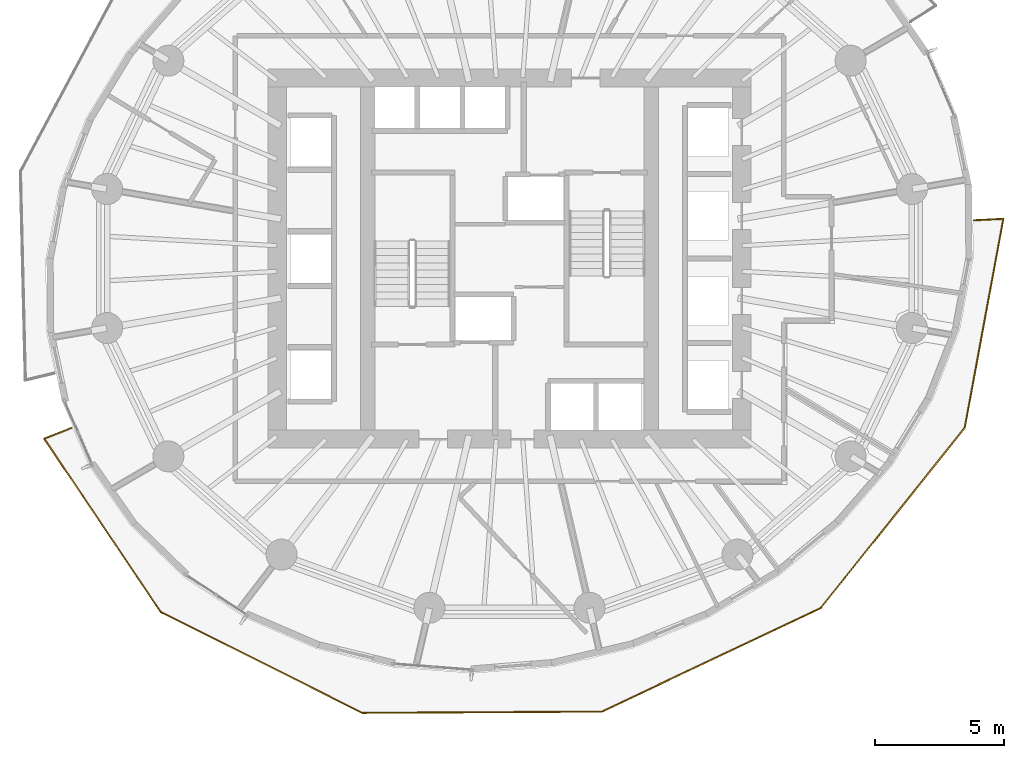
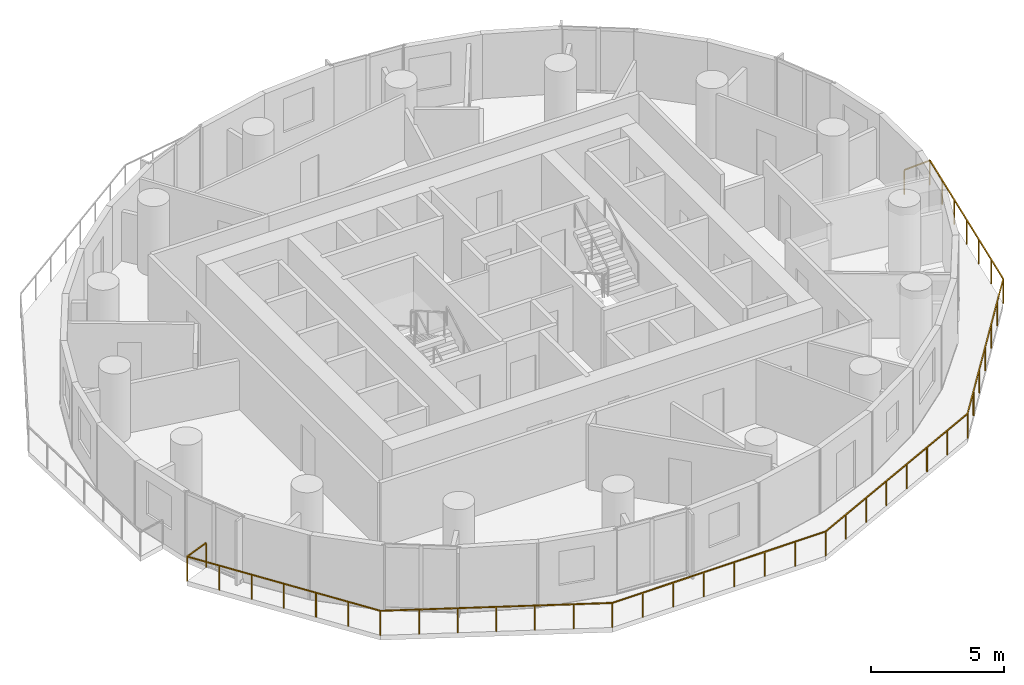
# One storey, part 12 of 14: 1 railing.
"""IFC4 building model written with IfcOpenShell, lengths in metres."""

from ifc_helpers import new_model, si_unit, direction, frame, origin, origin_2d, place, context, subcontext, project, spatial, rectangle, extrude, material, type_object, element, save


model = new_model("IFC4")

# Units and contexts
model_context = context("Model", 3, precision=1e-05, world=origin(), true_north=direction((0.0, 1.0)))
body_context = subcontext(model_context, "Body", "Model", "MODEL_VIEW")
ifc_project = project(units=[si_unit("LENGTHUNIT", "METRE"), si_unit("AREAUNIT", "SQUARE_METRE"), si_unit("VOLUMEUNIT", "CUBIC_METRE"), si_unit("PLANEANGLEUNIT", "RADIAN"), si_unit("MASSUNIT", "GRAM", prefix="KILO")], contexts=[model_context])

# Site, building, storey
site_placement = place(None, origin())
site = spatial("IfcSite", under=ifc_project, at=site_placement, CompositionType="ELEMENT")
building_placement = place(site_placement, origin())
building = spatial("IfcBuilding", under=site, at=building_placement, Name="Veldorim Arch Residences", CompositionType="ELEMENT")
storey_placement = place(building_placement, frame((0.0, 0.0, 74.080078125)))
storey = spatial("IfcBuildingStorey", under=building, at=storey_placement, Name="L21", CompositionType="ELEMENT", Elevation=74.080078125)

# Railing
ifc_material = material(Name="Aluminium", Category="aluminium")
railing_type = type_object("IfcRailingType", Name="Balcony & Terrace Laminated Glass Balustrade 1150", PredefinedType="BALUSTRADE", material=ifc_material)
railing_placement = place(storey_placement, frame((15.0341796875, 17.442138671875, 0.0)))
element("IfcRailing", 1, at=railing_placement, inside=storey, type_object=railing_type, Name="L21 crescent balcony safety balustrade B", PredefinedType="BALUSTRADE", context=body_context, shape_type="SweptSolid", body=[
    extrude(rectangle(XDim=0.048095703125, YDim=0.048095703125, at=origin_2d()), frame((0.0, 0.0, 1.1259765625), z_axis=(-0.92933811404, -0.369229833291, 0.0), x_axis=(0.369229833291, -0.92933811404, 0.0)), (0.0, 0.0, 1.0), 1.14990234375),
    extrude(rectangle(XDim=0.048095703125, YDim=0.048095703125, at=origin_2d()), frame((-1.068603515625, -0.424560546875, 1.1259765625), z_axis=(0.558100400409, -0.829773428753, 0.0), x_axis=(0.829773428753, 0.558100400409, 0.0)), (0.0, 0.0, 1.0), 8.091552734375),
    extrude(rectangle(XDim=0.048095703125, YDim=0.048095703125, at=origin_2d()), frame((3.447265625, -7.138671875, 1.1259765625), z_axis=(0.894024266109, -0.448018539358, 0.0), x_axis=(0.448018539358, 0.894024266109, 0.0)), (0.0, 0.0, 1.0), 8.733154296875),
    extrude(rectangle(XDim=0.048095703125, YDim=0.048095703125, at=origin_2d()), frame((11.2548828125, -11.05126953125, 1.1259765625), z_axis=(0.999986608104, 0.005175288633, 0.0), x_axis=(-0.005175288633, 0.999986608104, 0.0)), (0.0, 0.0, 1.0), 9.29345703125),
    extrude(rectangle(XDim=0.048095703125, YDim=0.048095703125, at=origin_2d()), frame((20.548095703125, -11.003173828125, 1.1259765625), z_axis=(0.903720887501, 0.428122129181, 0.0), x_axis=(-0.428122129181, 0.903720887501, 0.0)), (0.0, 0.0, 1.0), 9.384765625),
    extrude(rectangle(XDim=0.048095703125, YDim=0.048095703125, at=origin_2d()), frame((29.029296875, -6.9853515625, 1.1259765625), z_axis=(0.624355222481, 0.781140548276, 0.0), x_axis=(-0.781140548276, 0.624355222481, 0.0)), (0.0, 0.0, 1.0), 8.938232421875),
    extrude(rectangle(XDim=0.048095703125, YDim=0.048095703125, at=origin_2d()), frame((34.60986328125, -0.00341796875, 1.1259765625), z_axis=(0.181614929451, 0.983369725689, 0.0), x_axis=(-0.983369725689, 0.181614929451, 0.0)), (0.0, 0.0, 1.0), 8.239013671875),
    extrude(rectangle(XDim=0.048095703125, YDim=0.048095703125, at=origin_2d()), frame((36.106201171875, 8.0986328125, 1.1259765625), z_axis=(-0.998775527664, -0.049471661978, 0.0), x_axis=(0.049471661978, -0.998775527664, 0.0)), (0.0, 0.0, 1.0), 1.14990234375),
    extrude(rectangle(XDim=0.0419921875, YDim=0.0419921875, at=origin_2d()), origin(), (0.0, 0.0, 1.0), 1.101806640625),
    extrude(rectangle(XDim=0.0419921875, YDim=0.0419921875, at=origin_2d()), frame((-1.068603515625, -0.424560546875, 0.0)), (0.0, 0.0, 1.0), 1.101806640625),
    extrude(rectangle(XDim=0.0419921875, YDim=0.0419921875, at=origin_2d()), frame((-0.31591796875, -1.54345703125, 0.0)), (0.0, 0.0, 1.0), 1.101806640625),
    extrude(rectangle(XDim=0.0419921875, YDim=0.0419921875, at=origin_2d()), frame((0.436767578125, -2.66259765625, 0.0)), (0.0, 0.0, 1.0), 1.101806640625),
    extrude(rectangle(XDim=0.0419921875, YDim=0.0419921875, at=origin_2d()), frame((1.189453125, -3.78173828125, 0.0)), (0.0, 0.0, 1.0), 1.101806640625),
    extrude(rectangle(XDim=0.0419921875, YDim=0.0419921875, at=origin_2d()), frame((1.94189453125, -4.900634765625, 0.0)), (0.0, 0.0, 1.0), 1.101806640625),
    extrude(rectangle(XDim=0.0419921875, YDim=0.0419921875, at=origin_2d()), frame((2.694580078125, -6.01953125, 0.0)), (0.0, 0.0, 1.0), 1.101806640625),
    extrude(rectangle(XDim=0.0419921875, YDim=0.0419921875, at=origin_2d()), frame((3.447265625, -7.138671875, 0.0)), (0.0, 0.0, 1.0), 1.101806640625),
    extrude(rectangle(XDim=0.0419921875, YDim=0.0419921875, at=origin_2d()), frame((4.74853515625, -7.790771484375, 0.0)), (0.0, 0.0, 1.0), 1.101806640625),
    extrude(rectangle(XDim=0.0419921875, YDim=0.0419921875, at=origin_2d()), frame((6.0498046875, -8.44287109375, 0.0)), (0.0, 0.0, 1.0), 1.101806640625),
    extrude(rectangle(XDim=0.0419921875, YDim=0.0419921875, at=origin_2d()), frame((7.35107421875, -9.094970703125, 0.0)), (0.0, 0.0, 1.0), 1.101806640625),
    extrude(rectangle(XDim=0.0419921875, YDim=0.0419921875, at=origin_2d()), frame((8.65234375, -9.7470703125, 0.0)), (0.0, 0.0, 1.0), 1.101806640625),
    extrude(rectangle(XDim=0.0419921875, YDim=0.0419921875, at=origin_2d()), frame((9.95361328125, -10.399169921875, 0.0)), (0.0, 0.0, 1.0), 1.101806640625),
    extrude(rectangle(XDim=0.0419921875, YDim=0.0419921875, at=origin_2d()), frame((11.2548828125, -11.05126953125, 0.0)), (0.0, 0.0, 1.0), 1.101806640625),
    extrude(rectangle(XDim=0.0419921875, YDim=0.0419921875, at=origin_2d()), frame((12.58251953125, -11.04443359375, 0.0)), (0.0, 0.0, 1.0), 1.101806640625),
    extrude(rectangle(XDim=0.0419921875, YDim=0.0419921875, at=origin_2d()), frame((13.91015625, -11.03759765625, 0.0)), (0.0, 0.0, 1.0), 1.101806640625),
    extrude(rectangle(XDim=0.0419921875, YDim=0.0419921875, at=origin_2d()), frame((15.23779296875, -11.03076171875, 0.0)), (0.0, 0.0, 1.0), 1.101806640625),
    extrude(rectangle(XDim=0.0419921875, YDim=0.0419921875, at=origin_2d()), frame((16.565185546875, -11.023681640625, 0.0)), (0.0, 0.0, 1.0), 1.101806640625),
    extrude(rectangle(XDim=0.0419921875, YDim=0.0419921875, at=origin_2d()), frame((17.892822265625, -11.016845703125, 0.0)), (0.0, 0.0, 1.0), 1.101806640625),
    extrude(rectangle(XDim=0.0419921875, YDim=0.0419921875, at=origin_2d()), frame((19.220458984375, -11.010009765625, 0.0)), (0.0, 0.0, 1.0), 1.101806640625),
    extrude(rectangle(XDim=0.0419921875, YDim=0.0419921875, at=origin_2d()), frame((20.548095703125, -11.003173828125, 0.0)), (0.0, 0.0, 1.0), 1.101806640625),
    extrude(rectangle(XDim=0.0419921875, YDim=0.0419921875, at=origin_2d()), frame((21.759765625, -10.42919921875, 0.0)), (0.0, 0.0, 1.0), 1.101806640625),
    extrude(rectangle(XDim=0.0419921875, YDim=0.0419921875, at=origin_2d()), frame((22.97119140625, -9.855224609375, 0.0)), (0.0, 0.0, 1.0), 1.101806640625),
    extrude(rectangle(XDim=0.0419921875, YDim=0.0419921875, at=origin_2d()), frame((24.182861328125, -9.28125, 0.0)), (0.0, 0.0, 1.0), 1.101806640625),
    extrude(rectangle(XDim=0.0419921875, YDim=0.0419921875, at=origin_2d()), frame((25.39453125, -8.707275390625, 0.0)), (0.0, 0.0, 1.0), 1.101806640625),
    extrude(rectangle(XDim=0.0419921875, YDim=0.0419921875, at=origin_2d()), frame((26.606201171875, -8.13330078125, 0.0)), (0.0, 0.0, 1.0), 1.101806640625),
    extrude(rectangle(XDim=0.0419921875, YDim=0.0419921875, at=origin_2d()), frame((27.817626953125, -7.559326171875, 0.0)), (0.0, 0.0, 1.0), 1.101806640625),
    extrude(rectangle(XDim=0.0419921875, YDim=0.0419921875, at=origin_2d()), frame((29.029296875, -6.9853515625, 0.0)), (0.0, 0.0, 1.0), 1.101806640625),
    extrude(rectangle(XDim=0.0419921875, YDim=0.0419921875, at=origin_2d()), frame((29.95947265625, -5.82177734375, 0.0)), (0.0, 0.0, 1.0), 1.101806640625),
    extrude(rectangle(XDim=0.0419921875, YDim=0.0419921875, at=origin_2d()), frame((30.889404296875, -4.657958984375, 0.0)), (0.0, 0.0, 1.0), 1.101806640625),
    extrude(rectangle(XDim=0.0419921875, YDim=0.0419921875, at=origin_2d()), frame((31.819580078125, -3.494384765625, 0.0)), (0.0, 0.0, 1.0), 1.101806640625),
    extrude(rectangle(XDim=0.0419921875, YDim=0.0419921875, at=origin_2d()), frame((32.749755859375, -2.330810546875, 0.0)), (0.0, 0.0, 1.0), 1.101806640625),
    extrude(rectangle(XDim=0.0419921875, YDim=0.0419921875, at=origin_2d()), frame((33.6796875, -1.1669921875, 0.0)), (0.0, 0.0, 1.0), 1.101806640625),
    extrude(rectangle(XDim=0.0419921875, YDim=0.0419921875, at=origin_2d()), frame((34.60986328125, -0.00341796875, 0.0)), (0.0, 0.0, 1.0), 1.101806640625),
    extrude(rectangle(XDim=0.0419921875, YDim=0.0419921875, at=origin_2d()), frame((34.859375, 1.346923828125, 0.0)), (0.0, 0.0, 1.0), 1.101806640625),
    extrude(rectangle(XDim=0.0419921875, YDim=0.0419921875, at=origin_2d()), frame((35.108642578125, 2.697265625, 0.0)), (0.0, 0.0, 1.0), 1.101806640625),
    extrude(rectangle(XDim=0.0419921875, YDim=0.0419921875, at=origin_2d()), frame((35.35791015625, 4.047607421875, 0.0)), (0.0, 0.0, 1.0), 1.101806640625),
    extrude(rectangle(XDim=0.0419921875, YDim=0.0419921875, at=origin_2d()), frame((35.607421875, 5.39794921875, 0.0)), (0.0, 0.0, 1.0), 1.101806640625),
    extrude(rectangle(XDim=0.0419921875, YDim=0.0419921875, at=origin_2d()), frame((35.85693359375, 6.748291015625, 0.0)), (0.0, 0.0, 1.0), 1.101806640625),
    extrude(rectangle(XDim=0.0419921875, YDim=0.0419921875, at=origin_2d()), frame((36.106201171875, 8.0986328125, 0.0)), (0.0, 0.0, 1.0), 1.101806640625),
    extrude(rectangle(XDim=0.0419921875, YDim=0.0419921875, at=origin_2d()), frame((34.957763671875, 8.041748046875, 0.0)), (0.0, 0.0, 1.0), 1.101806640625),
])

save(model, "model.ifc")
